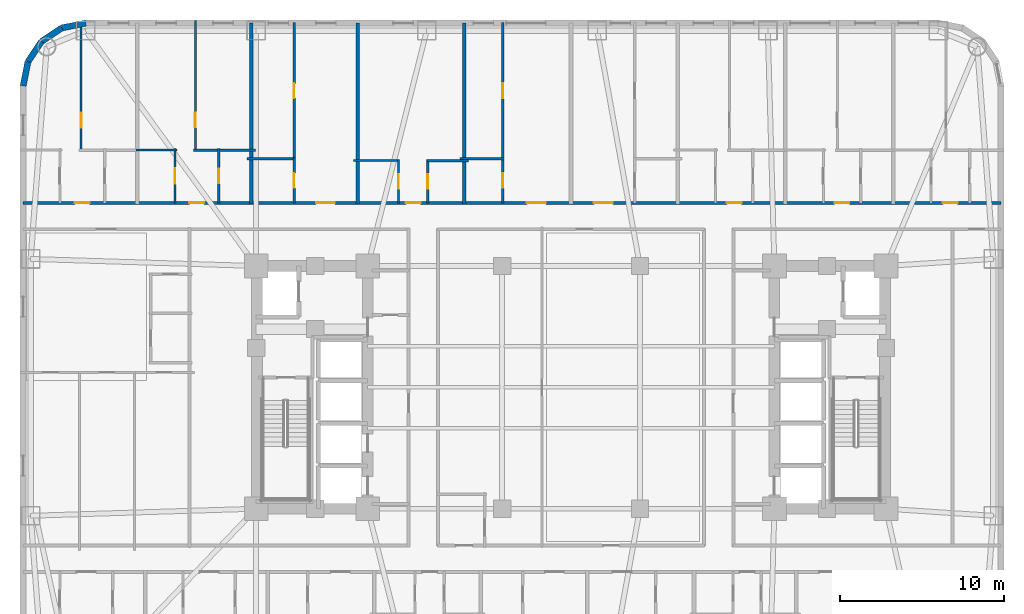
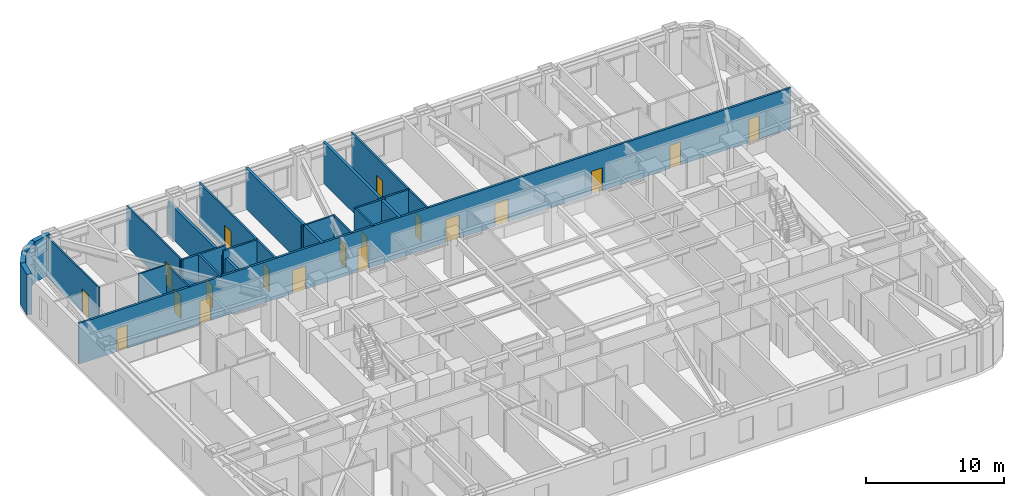
# One storey, part 7 of 11: 24 walls, 19 doors, 19 openings.
"""IFC4 building model written with IfcOpenShell, lengths in metres."""

import ifcopenshell
import ifcopenshell.guid

model = None  # the IFC model being written
_history = None  # IfcOwnerHistory: only IFC2X3 demands one
_inside = {}  # id of a spatial element -> (the spatial element, [elements in it])
_under = {}  # id of a project, library or spatial element -> (it, [spatial elements below it])
_declared = {}  # id of a project -> (the project, [libraries it declares])
_typed = {}  # id of a type object -> (the type object, [elements of that type])
_made_of = {}  # id of a material, layer set ... -> (it, [elements and type objects made of it])


def new_model(schema):
    """Start an empty IFC model of exactly this schema.

    Asked for "IFC4X3", IfcOpenShell would pick the latest addendum, in which some entities
    have other attributes; the version numbers below select the first issue.
    IFC2X3 requires an IfcOwnerHistory on every rooted entity: one is made here for all.
    """
    global model, _history
    if schema == "IFC4X3":
        model = ifcopenshell.file(schema_version=(4, 3, 0, 0))
    else:
        model = ifcopenshell.file(schema=schema)
    _inside.clear()
    _under.clear()
    _declared.clear()
    _typed.clear()
    _made_of.clear()
    _history = None
    if model.schema == "IFC2X3":
        org = make("IfcOrganization", Name="unknown")
        user = make(
            "IfcPersonAndOrganization",
            ThePerson=make("IfcPerson", FamilyName="unknown"),
            TheOrganization=org,
        )
        app = make(
            "IfcApplication",
            ApplicationDeveloper=org,
            Version="unknown",
            ApplicationFullName="unknown",
            ApplicationIdentifier="unknown",
        )
        _history = make(
            "IfcOwnerHistory",
            OwningUser=user,
            OwningApplication=app,
            ChangeAction="ADDED",
            CreationDate=0,
        )
    return model


def make(cls, **values):
    """One entity of the class cls with the attributes given. An attribute that is None is left unset."""
    return model.create_entity(
        cls, **{name: value for name, value in values.items() if value is not None}
    )


def rooted(cls, **values):
    """An entity with a GlobalId (a new one), such as an element, a storey or a relation."""
    return make(cls, GlobalId=ifcopenshell.guid.new(), OwnerHistory=_history, **values)


def si_unit(unit_type, name, prefix=None):
    """IfcSIUnit, for example si_unit("LENGTHUNIT", "METRE", prefix="MILLI")."""
    return make("IfcSIUnit", UnitType=unit_type, Prefix=prefix, Name=name)


def assignment(units):
    """IfcUnitAssignment: the units of a project."""
    return None if units is None else make("IfcUnitAssignment", Units=units)


def point(xyz):
    """IfcCartesianPoint."""
    return None if xyz is None else make("IfcCartesianPoint", Coordinates=xyz)


def direction(xyz):
    """IfcDirection."""
    return None if xyz is None else make("IfcDirection", DirectionRatios=xyz)


def frame(location, z_axis=None, x_axis=None):
    """IfcAxis2Placement3D, a coordinate frame: its origin and axes. An axis left out is left unset."""
    return make(
        "IfcAxis2Placement3D",
        Location=point(location),
        Axis=direction(z_axis),
        RefDirection=direction(x_axis),
    )


def frame_2d(location, x_axis=None):
    """IfcAxis2Placement2D, a coordinate frame in the plane: its origin and x axis."""
    return make(
        "IfcAxis2Placement2D", Location=point(location), RefDirection=direction(x_axis)
    )


def origin():
    """The frame at (0, 0, 0) with its axes left unset."""
    return frame((0.0, 0.0, 0.0))


def place(relative_to, where):
    """IfcLocalPlacement: puts the frame where relative to a parent placement (None: the world)."""
    return make(
        "IfcLocalPlacement", PlacementRelTo=relative_to, RelativePlacement=where
    )


def context(
    kind, dimensions, precision=None, world=None, true_north=None, identifier=None
):
    """IfcGeometricRepresentationContext, for example the 3D "Model" context."""
    return make(
        "IfcGeometricRepresentationContext",
        ContextIdentifier=identifier,
        ContextType=kind,
        CoordinateSpaceDimension=dimensions,
        Precision=precision,
        WorldCoordinateSystem=world,
        TrueNorth=true_north,
    )


def subcontext(parent, identifier, kind, view, scale=None):
    """IfcGeometricRepresentationSubContext, for example "Body" below "Model"."""
    return make(
        "IfcGeometricRepresentationSubContext",
        ContextIdentifier=identifier,
        ContextType=kind,
        ParentContext=parent,
        TargetScale=scale,
        TargetView=view,
    )


def project(units=None, contexts=None):
    """IfcProject with its units and contexts."""
    return rooted(
        "IfcProject",
        Name="project",
        RepresentationContexts=contexts,
        UnitsInContext=assignment(units),
    )


def spatial(cls, under=None, at=None, **own):
    """A site, building, storey or space (cls), placed at a placement, below another one or the project."""
    s = rooted(cls, ObjectPlacement=at, **own)
    if under is not None:
        _under.setdefault(under.id(), (under, []))[1].append(s)
    return s


def profile(cls, at=None, kind="AREA", **sizes):
    """A parametric profile (cls). Its sizes go by their IFC names, for example OverallWidth=200.0."""
    return make(cls, ProfileType=kind, Position=at, **sizes)


def rectangle(**sizes):
    """IfcRectangleProfileDef."""
    return profile("IfcRectangleProfileDef", **sizes)


def extrude(swept, where, along, depth):
    """IfcExtrudedAreaSolid: the profile swept, set in the frame where, extruded along a direction by depth."""
    return make(
        "IfcExtrudedAreaSolid",
        SweptArea=swept,
        Position=where,
        ExtrudedDirection=direction(along),
        Depth=depth,
    )


def shape(context_of_items, identifier, shape_type, items):
    """IfcShapeRepresentation: the items that make up one representation, for example the "Body"."""
    return make(
        "IfcShapeRepresentation",
        ContextOfItems=context_of_items,
        RepresentationIdentifier=identifier,
        RepresentationType=shape_type,
        Items=items,
    )


def material(Name=None, Category=None):
    """IfcMaterial."""
    return make("IfcMaterial", Name=Name, Category=Category)


def layer(
    of_material, thickness, ventilated=None, Name=None, Category=None, Priority=None
):
    """IfcMaterialLayer: one layer of a wall or slab, of a material (None: an air gap)."""
    return make(
        "IfcMaterialLayer",
        Material=of_material,
        LayerThickness=thickness,
        IsVentilated=ventilated,
        Name=Name,
        Category=Category,
        Priority=Priority,
    )


def layer_set(layers, Name=None):
    """IfcMaterialLayerSet."""
    return make("IfcMaterialLayerSet", MaterialLayers=layers, LayerSetName=Name)


def made_of(thing, what):
    """Note that an element or type object is made of a material, layer set ...; save() writes the relation."""
    if what is not None:
        _made_of.setdefault(what.id(), (what, []))[1].append(thing)
    return thing


def type_object(cls, material=None, **own):
    """A type object (cls), such as IfcWallType, which elements share."""
    return made_of(rooted(cls, **own), material)


def element(
    cls,
    number,
    at=None,
    inside=None,
    cuts=None,
    type_object=None,
    material=None,
    context=None,
    identifier="Body",
    shape_type=None,
    held_by="IfcProductDefinitionShape",
    body=None,
    shapes=None,
    **own,
):
    """One element of the class cls, such as IfcWall. Its Tag is "e" and its number.

    at: its placement. inside: the storey or other place that contains it. cuts: it is an
    opening in that element (IfcRelVoidsElement). A single representation is given by context,
    identifier, shape_type and body (its items); several are given by shapes. held_by: the class
    of the entity that holds the representations. save() writes the other relations.
    """
    e = rooted(cls, Tag="e%d" % number, ObjectPlacement=at, **own)
    if body is not None:
        shapes = [shape(context, identifier, shape_type, body)]
    if shapes is not None:
        e.Representation = make(held_by, Representations=shapes)
    if inside is not None:
        _inside.setdefault(inside.id(), (inside, []))[1].append(e)
    if cuts is not None:
        rooted(
            "IfcRelVoidsElement", RelatingBuildingElement=cuts, RelatedOpeningElement=e
        )
    if type_object is not None:
        _typed.setdefault(type_object.id(), (type_object, []))[1].append(e)
    return made_of(e, material)


def fill(opening, filler):
    """IfcRelFillsElement: the door or window that sits in an opening."""
    return rooted(
        "IfcRelFillsElement",
        RelatingOpeningElement=opening,
        RelatedBuildingElement=filler,
    )


def aggregate(whole, parts):
    """IfcRelAggregates: a whole, such as a stair, and the parts it consists of."""
    return rooted("IfcRelAggregates", RelatingObject=whole, RelatedObjects=parts)


def save(model, path):
    """Write the relations noted so far, then the file.

    IfcRelAggregates (storeys below a building ...), IfcRelContainedInSpatialStructure (elements
    in a storey), IfcRelDefinesByType, IfcRelAssociatesMaterial and IfcRelDeclares: one each for
    every whole, place, type object, material and project.
    """
    for whole, parts in _under.values():
        aggregate(whole, parts)
    for where, things in _inside.values():
        rooted(
            "IfcRelContainedInSpatialStructure",
            RelatedElements=things,
            RelatingStructure=where,
        )
    for kind, things in _typed.values():
        rooted("IfcRelDefinesByType", RelatedObjects=things, RelatingType=kind)
    for what, things in _made_of.values():
        rooted("IfcRelAssociatesMaterial", RelatedObjects=things, RelatingMaterial=what)
    for by, libraries in _declared.values():
        rooted("IfcRelDeclares", RelatingContext=by, RelatedDefinitions=libraries)
    model.write(path)


model = new_model("IFC4")

# Units and contexts
model_context = context("Model", 3, precision=1e-05, world=origin(), true_north=direction((0.0, 1.0)))
body_context = subcontext(model_context, "Body", "Model", "MODEL_VIEW")
ifc_project = project(units=[si_unit("LENGTHUNIT", "METRE"), si_unit("AREAUNIT", "SQUARE_METRE"), si_unit("VOLUMEUNIT", "CUBIC_METRE"), si_unit("PLANEANGLEUNIT", "RADIAN"), si_unit("MASSUNIT", "GRAM", prefix="KILO")], contexts=[model_context])

# Site, building, storey
site_placement = place(None, origin())
site = spatial("IfcSite", under=ifc_project, at=site_placement, CompositionType="ELEMENT")
building_placement = place(site_placement, origin())
building = spatial("IfcBuilding", under=site, at=building_placement, Name="Voryun Gate Residences", CompositionType="ELEMENT")
storey_placement = place(building_placement, frame((0.0, 0.0, 76.699951171875)))
storey = spatial("IfcBuildingStorey", under=building, at=storey_placement, Name="L18", CompositionType="ELEMENT", Elevation=76.699951171875)

# Wall, openings, doors
ifc_material_1 = material(Name="Gypsum acoustic fireboard")
ifc_layer_1 = layer(ifc_material_1, 0.179931640625, Name="W_CORR_RATED_180")
ifc_layer_set_1 = layer_set([ifc_layer_1], Name="Gypsum acoustic fireboard")
wall_type_1 = type_object("IfcWallType", Name="W_CORR_RATED_180", PredefinedType="PARTITIONING", material=ifc_layer_set_1)
wall_1_placement = place(storey_placement, frame((-33.409912109375, 11.25, 0.0), z_axis=(0.0, 0.0, 1.0), x_axis=(1.0, 0.0, 0.0)))
wall_1 = element("IfcWall", 1, at=wall_1_placement, inside=storey, type_object=wall_type_1, Name="Partition wall WP-L18-NCORR", PredefinedType="PARTITIONING", context=body_context, shape_type="SweptSolid", body=[
    extrude(rectangle(XDim=59.619873046875, YDim=0.179931640625, at=frame_2d((29.81005859375, 0.0))), origin(), (0.0, 0.0, 1.0), 3.60009765625),
])
opening_1_placement = place(wall_1_placement, frame((3.156982421875, 0.0, 0.0)))
opening_1 = element("IfcOpeningElement", 2, at=opening_1_placement, cuts=wall_1, Name="Opening D-INT-2", PredefinedType="OPENING", context=body_context, shape_type="SweptSolid", body=[
    extrude(rectangle(XDim=0.89990234375, YDim=2.050048828125, at=frame_2d((0.449951171875, 1.02490234375))), frame((0.0, 0.099853515625, 0.0), z_axis=(0.0, -1.0, 0.0), x_axis=(1.0, 0.0, 0.0)), (0.0, 0.0, 1.0), 0.199951171875),
])
opening_2_placement = place(wall_1_placement, frame((10.14453125, 0.0, 0.0)))
opening_2 = element("IfcOpeningElement", 3, at=opening_2_placement, cuts=wall_1, Name="Opening D-INT-2", PredefinedType="OPENING", context=body_context, shape_type="SweptSolid", body=[
    extrude(rectangle(XDim=0.89990234375, YDim=2.050048828125, at=frame_2d((0.449951171875, 1.02490234375))), frame((0.0, 0.099853515625, 0.0), z_axis=(0.0, -1.0, 0.0), x_axis=(1.0, 0.0, 0.0)), (0.0, 0.0, 1.0), 0.199951171875),
])
opening_3_placement = place(wall_1_placement, frame((17.859619140625, 0.0, 0.0)))
opening_3 = element("IfcOpeningElement", 4, at=opening_3_placement, cuts=wall_1, Name="Opening D-UNIT-1", PredefinedType="OPENING", context=body_context, shape_type="SweptSolid", body=[
    extrude(rectangle(XDim=1.14990234375, YDim=2.050048828125, at=frame_2d((0.574951171875, 1.02490234375))), frame((0.0, 0.099853515625, 0.0), z_axis=(0.0, -1.0, 0.0), x_axis=(1.0, 0.0, 0.0)), (0.0, 0.0, 1.0), 0.199951171875),
])
opening_4_placement = place(wall_1_placement, frame((23.33837890625, 0.0, 0.0)))
opening_4 = element("IfcOpeningElement", 5, at=opening_4_placement, cuts=wall_1, Name="Opening D-INT-2", PredefinedType="OPENING", context=body_context, shape_type="SweptSolid", body=[
    extrude(rectangle(XDim=0.89990234375, YDim=2.050048828125, at=frame_2d((0.449951171875, 1.02490234375))), frame((0.0, 0.099853515625, 0.0), z_axis=(0.0, -1.0, 0.0), x_axis=(1.0, 0.0, 0.0)), (0.0, 0.0, 1.0), 0.199951171875),
])
opening_5_placement = place(wall_1_placement, frame((30.719482421875, 0.0, 0.0)))
opening_5 = element("IfcOpeningElement", 6, at=opening_5_placement, cuts=wall_1, Name="Opening D-UNIT-1", PredefinedType="OPENING", context=body_context, shape_type="SweptSolid", body=[
    extrude(rectangle(XDim=1.14990234375, YDim=2.050048828125, at=frame_2d((0.574951171875, 1.02490234375))), frame((0.0, 0.099853515625, 0.0), z_axis=(0.0, -1.0, 0.0), x_axis=(1.0, 0.0, 0.0)), (0.0, 0.0, 1.0), 0.199951171875),
])
opening_6_placement = place(wall_1_placement, frame((34.8095703125, 0.0, 0.0)))
opening_6 = element("IfcOpeningElement", 7, at=opening_6_placement, cuts=wall_1, Name="Opening D-UNIT-1", PredefinedType="OPENING", context=body_context, shape_type="SweptSolid", body=[
    extrude(rectangle(XDim=1.14990234375, YDim=2.050048828125, at=frame_2d((0.574951171875, 1.02490234375))), frame((0.0, 0.099853515625, 0.0), z_axis=(0.0, -1.0, 0.0), x_axis=(1.0, 0.0, 0.0)), (0.0, 0.0, 1.0), 0.199951171875),
])
opening_7_placement = place(wall_1_placement, frame((42.91162109375, 0.0, 0.0)))
opening_7 = element("IfcOpeningElement", 8, at=opening_7_placement, cuts=wall_1, Name="Opening D-INT-2", PredefinedType="OPENING", context=body_context, shape_type="SweptSolid", body=[
    extrude(rectangle(XDim=0.89990234375, YDim=2.050048828125, at=frame_2d((0.449951171875, 1.02490234375))), frame((0.0, 0.099853515625, 0.0), z_axis=(0.0, -1.0, 0.0), x_axis=(1.0, 0.0, 0.0)), (0.0, 0.0, 1.0), 0.199951171875),
])
opening_8_placement = place(wall_1_placement, frame((49.481689453125, 0.0, 0.0)))
opening_8 = element("IfcOpeningElement", 9, at=opening_8_placement, cuts=wall_1, Name="Opening D-INT-2", PredefinedType="OPENING", context=body_context, shape_type="SweptSolid", body=[
    extrude(rectangle(XDim=0.89990234375, YDim=2.050048828125, at=frame_2d((0.449951171875, 1.02490234375))), frame((0.0, 0.099853515625, 0.0), z_axis=(0.0, -1.0, 0.0), x_axis=(1.0, 0.0, 0.0)), (0.0, 0.0, 1.0), 0.199951171875),
])
opening_9_placement = place(wall_1_placement, frame((56.087646484375, 0.0, 0.0)))
opening_9 = element("IfcOpeningElement", 10, at=opening_9_placement, cuts=wall_1, Name="Opening D-INT-2", PredefinedType="OPENING", context=body_context, shape_type="SweptSolid", body=[
    extrude(rectangle(XDim=0.89990234375, YDim=2.050048828125, at=frame_2d((0.449951171875, 1.02490234375))), frame((0.0, 0.099853515625, 0.0), z_axis=(0.0, -1.0, 0.0), x_axis=(1.0, 0.0, 0.0)), (0.0, 0.0, 1.0), 0.199951171875),
])
ifc_material_2 = material(Name="Architectural oak veneer")
door_type_1 = type_object("IfcDoorType", Name="DR_INT_BATH_900", OperationType="NOTDEFINED", PredefinedType="DOOR", material=ifc_material_2)
door_1_placement = place(opening_1_placement, origin())
door_1 = element("IfcDoor", 11, at=door_1_placement, inside=storey, type_object=door_type_1, Name="Door DR-L18-NENT-1", OperationType="SINGLE_SWING_LEFT", OverallHeight=2.050048828125, OverallWidth=0.89990234375, PredefinedType="DOOR", context=body_context, shape_type="SweptSolid", body=[
    extrude(rectangle(XDim=0.89990234375, YDim=2.050048828125, at=frame_2d((0.449951171875, 1.02490234375))), frame((0.0, 0.02490234375, 0.0), z_axis=(0.0, -1.0, 0.0), x_axis=(1.0, 0.0, 0.0)), (0.0, 0.0, 1.0), 0.050048828125),
])
fill(opening_1, door_1)
door_2_placement = place(opening_2_placement, origin())
door_2 = element("IfcDoor", 12, at=door_2_placement, inside=storey, type_object=door_type_1, Name="Door DR-L18-NENT-2", OperationType="SINGLE_SWING_RIGHT", OverallHeight=2.050048828125, OverallWidth=0.89990234375, PredefinedType="DOOR", context=body_context, shape_type="SweptSolid", body=[
    extrude(rectangle(XDim=0.89990234375, YDim=2.050048828125, at=frame_2d((0.449951171875, 1.02490234375))), frame((0.0, 0.02490234375, 0.0), z_axis=(0.0, -1.0, 0.0), x_axis=(1.0, 0.0, 0.0)), (0.0, 0.0, 1.0), 0.050048828125),
])
fill(opening_2, door_2)
door_3_placement = place(opening_4_placement, origin())
door_3 = element("IfcDoor", 13, at=door_3_placement, inside=storey, type_object=door_type_1, Name="Door DR-L18-NENT-4", OperationType="SINGLE_SWING_RIGHT", OverallHeight=2.050048828125, OverallWidth=0.89990234375, PredefinedType="DOOR", context=body_context, shape_type="SweptSolid", body=[
    extrude(rectangle(XDim=0.89990234375, YDim=2.050048828125, at=frame_2d((0.449951171875, 1.02490234375))), frame((0.0, 0.02490234375, 0.0), z_axis=(0.0, -1.0, 0.0), x_axis=(1.0, 0.0, 0.0)), (0.0, 0.0, 1.0), 0.050048828125),
])
fill(opening_4, door_3)
door_4_placement = place(opening_7_placement, origin())
door_4 = element("IfcDoor", 14, at=door_4_placement, inside=storey, type_object=door_type_1, Name="Door DR-L18-NENT-7", OperationType="SINGLE_SWING_LEFT", OverallHeight=2.050048828125, OverallWidth=0.89990234375, PredefinedType="DOOR", context=body_context, shape_type="SweptSolid", body=[
    extrude(rectangle(XDim=0.89990234375, YDim=2.050048828125, at=frame_2d((0.449951171875, 1.02490234375))), frame((0.0, 0.02490234375, 0.0), z_axis=(0.0, -1.0, 0.0), x_axis=(1.0, 0.0, 0.0)), (0.0, 0.0, 1.0), 0.050048828125),
])
fill(opening_7, door_4)
door_5_placement = place(opening_8_placement, origin())
door_5 = element("IfcDoor", 15, at=door_5_placement, inside=storey, type_object=door_type_1, Name="Door DR-L18-NENT-8", OperationType="SINGLE_SWING_RIGHT", OverallHeight=2.050048828125, OverallWidth=0.89990234375, PredefinedType="DOOR", context=body_context, shape_type="SweptSolid", body=[
    extrude(rectangle(XDim=0.89990234375, YDim=2.050048828125, at=frame_2d((0.449951171875, 1.02490234375))), frame((0.0, 0.02490234375, 0.0), z_axis=(0.0, -1.0, 0.0), x_axis=(1.0, 0.0, 0.0)), (0.0, 0.0, 1.0), 0.050048828125),
])
fill(opening_8, door_5)
door_6_placement = place(opening_9_placement, origin())
door_6 = element("IfcDoor", 16, at=door_6_placement, inside=storey, type_object=door_type_1, Name="Door DR-L18-NENT-9", OperationType="SINGLE_SWING_LEFT", OverallHeight=2.050048828125, OverallWidth=0.89990234375, PredefinedType="DOOR", context=body_context, shape_type="SweptSolid", body=[
    extrude(rectangle(XDim=0.89990234375, YDim=2.050048828125, at=frame_2d((0.449951171875, 1.02490234375))), frame((0.0, 0.02490234375, 0.0), z_axis=(0.0, -1.0, 0.0), x_axis=(1.0, 0.0, 0.0)), (0.0, 0.0, 1.0), 0.050048828125),
])
fill(opening_9, door_6)
ifc_material_3 = material(Name="Armoured timber-clad fire door", Category="wood")
door_type_2 = type_object("IfcDoorType", Name="DR_UNIT_ENTRY_1150", OperationType="NOTDEFINED", PredefinedType="DOOR", material=ifc_material_3)
door_7_placement = place(opening_3_placement, origin())
door_7 = element("IfcDoor", 17, at=door_7_placement, inside=storey, type_object=door_type_2, Name="Door DR-L18-NENT-3", OperationType="SINGLE_SWING_LEFT", OverallHeight=2.050048828125, OverallWidth=1.14990234375, PredefinedType="DOOR", context=body_context, shape_type="SweptSolid", body=[
    extrude(rectangle(XDim=1.14990234375, YDim=2.050048828125, at=frame_2d((0.574951171875, 1.02490234375))), frame((0.0, 0.02490234375, 0.0), z_axis=(0.0, -1.0, 0.0), x_axis=(1.0, 0.0, 0.0)), (0.0, 0.0, 1.0), 0.050048828125),
])
fill(opening_3, door_7)
door_8_placement = place(opening_5_placement, origin())
door_8 = element("IfcDoor", 18, at=door_8_placement, inside=storey, type_object=door_type_2, Name="Door DR-L18-NENT-5", OperationType="SINGLE_SWING_LEFT", OverallHeight=2.050048828125, OverallWidth=1.14990234375, PredefinedType="DOOR", context=body_context, shape_type="SweptSolid", body=[
    extrude(rectangle(XDim=1.14990234375, YDim=2.050048828125, at=frame_2d((0.574951171875, 1.02490234375))), frame((0.0, 0.02490234375, 0.0), z_axis=(0.0, -1.0, 0.0), x_axis=(1.0, 0.0, 0.0)), (0.0, 0.0, 1.0), 0.050048828125),
])
fill(opening_5, door_8)
door_9_placement = place(opening_6_placement, origin())
door_9 = element("IfcDoor", 19, at=door_9_placement, inside=storey, type_object=door_type_2, Name="Door DR-L18-NENT-6", OperationType="SINGLE_SWING_RIGHT", OverallHeight=2.050048828125, OverallWidth=1.14990234375, PredefinedType="DOOR", context=body_context, shape_type="SweptSolid", body=[
    extrude(rectangle(XDim=1.14990234375, YDim=2.050048828125, at=frame_2d((0.574951171875, 1.02490234375))), frame((0.0, 0.02490234375, 0.0), z_axis=(0.0, -1.0, 0.0), x_axis=(1.0, 0.0, 0.0)), (0.0, 0.0, 1.0), 0.050048828125),
])
fill(opening_6, door_9)

# Walls
ifc_material_4 = material(Name="Granite masonry", Category="masonry")
ifc_layer_2 = layer(ifc_material_4, 0.3798828125, Name="W_EXT_GRANITE_380")
ifc_layer_set_2 = layer_set([ifc_layer_2], Name="Granite masonry")
wall_type_2 = type_object("IfcWallType", Name="W_EXT_GRANITE_380", PredefinedType="ELEMENTEDWALL", material=ifc_layer_set_2)
wall_2_placement = place(storey_placement, frame((-33.409912109375, 18.38134765625, 0.0), z_axis=(0.0, 0.0, 1.0), x_axis=(0.195086038585, 0.980786132421, 0.0)))
element("IfcWall", 20, at=wall_2_placement, inside=storey, type_object=wall_type_2, Name="Exterior wall WEXT-L18-07", PredefinedType="ELEMENTEDWALL", context=body_context, shape_type="SweptSolid", body=[
    extrude(rectangle(XDim=1.504150390625, YDim=0.3798828125, at=frame_2d((0.751953125, 0.0))), origin(), (0.0, 0.0, 1.0), 3.60009765625),
])
wall_3_placement = place(storey_placement, frame((-33.116455078125, 19.856689453125, 0.0), z_axis=(0.0, 0.0, 1.0), x_axis=(0.555572577804, 0.831468045563, 0.0)))
element("IfcWall", 21, at=wall_3_placement, inside=storey, type_object=wall_type_2, Name="Exterior wall WEXT-L18-08", PredefinedType="ELEMENTEDWALL", context=body_context, shape_type="SweptSolid", body=[
    extrude(rectangle(XDim=1.48486328125, YDim=0.3798828125, at=frame_2d((0.742431640625, 0.0))), origin(), (0.0, 0.0, 1.0), 3.60009765625),
])
wall_4_placement = place(storey_placement, frame((-32.29150390625, 21.09130859375, 0.0), z_axis=(0.0, 0.0, 1.0), x_axis=(0.831442848281, 0.555610286119, 0.0)))
element("IfcWall", 22, at=wall_4_placement, inside=storey, type_object=wall_type_2, Name="Exterior wall WEXT-L18-09", PredefinedType="ELEMENTEDWALL", context=body_context, shape_type="SweptSolid", body=[
    extrude(rectangle(XDim=1.485107421875, YDim=0.3798828125, at=frame_2d((0.74267578125, 0.0))), origin(), (0.0, 0.0, 1.0), 3.60009765625),
])
wall_5_placement = place(storey_placement, frame((-31.056640625, 21.91650390625, 0.0), z_axis=(0.0, 0.0, 1.0), x_axis=(0.980786132421, 0.195086038585, 0.0)))
element("IfcWall", 23, at=wall_5_placement, inside=storey, type_object=wall_type_2, Name="Exterior wall WEXT-L18-10", PredefinedType="ELEMENTEDWALL", context=body_context, shape_type="SweptSolid", body=[
    extrude(rectangle(XDim=1.504150390625, YDim=0.3798828125, at=frame_2d((0.751953125, 0.0))), origin(), (0.0, 0.0, 1.0), 3.60009765625),
])
ifc_material_5 = material(Name="Concrete C40/50", Category="concrete")
ifc_layer_3 = layer(ifc_material_5, 0.219970703125, Name="W_PARTY_ACOUSTIC_220")
ifc_layer_set_3 = layer_set([ifc_layer_3], Name="Concrete C40/50")
wall_type_3 = type_object("IfcWallType", Name="W_PARTY_ACOUSTIC_220", PredefinedType="PARTITIONING", material=ifc_layer_set_3)
wall_6_placement = place(storey_placement, frame((-19.5, 11.169921875, 0.0), z_axis=(0.0, 0.0, 1.0), x_axis=(0.0, 1.0, 0.0)))
element("IfcWall", 24, at=wall_6_placement, inside=storey, type_object=wall_type_3, Name="Partition wall WP-L18-NPTY-2", PredefinedType="PARTITIONING", context=body_context, shape_type="SweptSolid", body=[
    extrude(rectangle(XDim=11.0400390625, YDim=0.219970703125, at=frame_2d((5.52001953125, 0.0))), origin(), (0.0, 0.0, 1.0), 2.89013671875),
])
for number, where, z_axis, x_axis, name in (
    (25, (-13.0, 11.169921875, 0.0), (0.0, 0.0, 1.0), (0.0, 1.0, 0.0), "Partition wall WP-L18-NPTY-3"),
    (26, (-6.5, 11.169921875, 0.0), (0.0, 0.0, 1.0), (0.0, 1.0, 0.0), "Partition wall WP-L18-NPTY-4"),
):
    element("IfcWall", number, at=place(storey_placement, frame(where, z_axis=z_axis, x_axis=x_axis)), inside=storey, type_object=wall_type_3, Name=name, PredefinedType="PARTITIONING", context=body_context, shape_type="SweptSolid", body=[
        extrude(rectangle(XDim=11.0400390625, YDim=0.219970703125, at=frame_2d((5.52001953125, 0.0))), origin(), (0.0, 0.0, 1.0), 3.60009765625),
    ])

# Wall, opening, door
ifc_material_6 = material(Name="Gypsum acoustic partition")
ifc_layer_4 = layer(ifc_material_6, 0.125, Name="W_UNIT_PART_125")
ifc_layer_set_4 = layer_set([ifc_layer_4], Name="Gypsum acoustic partition")
wall_type_4 = type_object("IfcWallType", Name="W_UNIT_PART_125", PredefinedType="PARTITIONING", material=ifc_layer_set_4)
wall_7_placement = place(storey_placement, frame((-29.868896484375, 14.389892578125, 0.0), z_axis=(0.0, 0.0, 1.0), x_axis=(0.0, 1.0, 0.0)))
wall_7 = element("IfcWall", 27, at=wall_7_placement, inside=storey, type_object=wall_type_4, Name="Partition wall WP-L18-N1-OVR", PredefinedType="PARTITIONING", context=body_context, shape_type="SweptSolid", body=[
    extrude(rectangle(XDim=7.915771484375, YDim=0.125, at=frame_2d((3.9580078125, 0.0))), origin(), (0.0, 0.0, 1.0), 3.60009765625),
])
opening_10_placement = place(wall_7_placement, frame((1.44970703125, 0.0, 0.0)))
opening_10 = element("IfcOpeningElement", 28, at=opening_10_placement, cuts=wall_7, Name="Opening D-INT-2", PredefinedType="OPENING", context=body_context, shape_type="SweptSolid", body=[
    extrude(rectangle(XDim=0.89990234375, YDim=2.050048828125, at=frame_2d((0.449951171875, 1.02490234375))), frame((0.0, 0.072509765625, 0.0), z_axis=(0.0, -1.0, 0.0), x_axis=(1.0, 0.0, 0.0)), (0.0, 0.0, 1.0), 0.14501953125),
])
door_10_placement = place(opening_10_placement, origin())
door_10 = element("IfcDoor", 29, at=door_10_placement, inside=storey, type_object=door_type_1, Name="Door DR-L18-N1-DMB", OperationType="SINGLE_SWING_RIGHT", OverallHeight=2.050048828125, OverallWidth=0.89990234375, PredefinedType="DOOR", context=body_context, shape_type="SweptSolid", body=[
    extrude(rectangle(XDim=0.89990234375, YDim=2.050048828125, at=frame_2d((0.449951171875, 1.02490234375))), frame((0.0, 0.02490234375, 0.0), z_axis=(0.0, -1.0, 0.0), x_axis=(1.0, 0.0, 0.0)), (0.0, 0.0, 1.0), 0.050048828125),
])
fill(opening_10, door_10)

wall_8_placement = place(storey_placement, frame((-22.909912109375, 14.389892578125, 0.0), z_axis=(0.0, 0.0, 1.0), x_axis=(0.0, 1.0, 0.0)))
wall_8 = element("IfcWall", 30, at=wall_8_placement, inside=storey, type_object=wall_type_4, Name="Partition wall WP-L18-N2-OVR", PredefinedType="PARTITIONING", context=body_context, shape_type="SweptSolid", body=[
    extrude(rectangle(XDim=7.97021484375, YDim=0.125, at=frame_2d((3.985107421875, 0.0))), origin(), (0.0, 0.0, 1.0), 3.60009765625),
])
opening_11_placement = place(wall_8_placement, frame((1.462890625, 0.0, 0.0)))
opening_11 = element("IfcOpeningElement", 31, at=opening_11_placement, cuts=wall_8, Name="Opening D-INT-2", PredefinedType="OPENING", context=body_context, shape_type="SweptSolid", body=[
    extrude(rectangle(XDim=0.89990234375, YDim=2.050048828125, at=frame_2d((0.449951171875, 1.02490234375))), frame((0.0, 0.072509765625, 0.0), z_axis=(0.0, -1.0, 0.0), x_axis=(1.0, 0.0, 0.0)), (0.0, 0.0, 1.0), 0.14501953125),
])
door_11_placement = place(opening_11_placement, origin())
door_11 = element("IfcDoor", 32, at=door_11_placement, inside=storey, type_object=door_type_1, Name="Door DR-L18-N2-DMB", OperationType="SINGLE_SWING_RIGHT", OverallHeight=2.050048828125, OverallWidth=0.89990234375, PredefinedType="DOOR", context=body_context, shape_type="SweptSolid", body=[
    extrude(rectangle(XDim=0.89990234375, YDim=2.050048828125, at=frame_2d((0.449951171875, 1.02490234375))), frame((0.0, 0.02490234375, 0.0), z_axis=(0.0, -1.0, 0.0), x_axis=(1.0, 0.0, 0.0)), (0.0, 0.0, 1.0), 0.050048828125),
])
fill(opening_11, door_11)

wall_9_placement = place(storey_placement, frame((-24.14892578125, 11.22998046875, 0.0), z_axis=(0.0, 0.0, 1.0), x_axis=(0.0, 1.0, 0.0)))
wall_9 = element("IfcWall", 33, at=wall_9_placement, inside=storey, type_object=wall_type_4, Name="Partition wall WP-L18-N2-IVK", PredefinedType="PARTITIONING", context=body_context, shape_type="SweptSolid", body=[
    extrude(rectangle(XDim=3.320068359375, YDim=0.125, at=frame_2d((1.66015625, 0.0))), origin(), (0.0, 0.0, 1.0), 3.60009765625),
])
opening_12_placement = place(wall_9_placement, frame((1.18505859375, 0.0, 0.0)))
opening_12 = element("IfcOpeningElement", 34, at=opening_12_placement, cuts=wall_9, Name="Opening D-INT-1", PredefinedType="OPENING", context=body_context, shape_type="SweptSolid", body=[
    extrude(rectangle(XDim=0.949951171875, YDim=2.050048828125, at=frame_2d((0.47509765625, 1.02490234375))), frame((0.0, 0.072509765625, 0.0), z_axis=(0.0, -1.0, 0.0), x_axis=(1.0, 0.0, 0.0)), (0.0, 0.0, 1.0), 0.14501953125),
])
ifc_material_7 = material(Name="Architectural oak veneer")
door_type_3 = type_object("IfcDoorType", Name="DR_INT_ROOM_950", OperationType="NOTDEFINED", PredefinedType="DOOR", material=ifc_material_7)
door_12_placement = place(opening_12_placement, origin())
door_12 = element("IfcDoor", 35, at=door_12_placement, inside=storey, type_object=door_type_3, Name="Door DR-L18-N2-DK", OperationType="SINGLE_SWING_LEFT", OverallHeight=2.050048828125, OverallWidth=0.949951171875, PredefinedType="DOOR", context=body_context, shape_type="SweptSolid", body=[
    extrude(rectangle(XDim=0.949951171875, YDim=2.050048828125, at=frame_2d((0.47509765625, 1.02490234375))), frame((0.0, 0.02490234375, 0.0), z_axis=(0.0, -1.0, 0.0), x_axis=(1.0, 0.0, 0.0)), (0.0, 0.0, 1.0), 0.050048828125),
])
fill(opening_12, door_12)

# Wall
wall_10_placement = place(storey_placement, frame((-26.533935546875, 14.469970703125, 0.0), z_axis=(0.0, 0.0, 1.0), x_axis=(1.0, 0.0, 0.0)))
element("IfcWall", 36, at=wall_10_placement, inside=storey, type_object=wall_type_4, Name="Partition wall WP-L18-N2-HZK", PredefinedType="PARTITIONING", context=body_context, shape_type="SweptSolid", body=[
    extrude(rectangle(XDim=2.5048828125, YDim=0.125, at=frame_2d((1.25244140625, 0.0))), origin(), (0.0, 0.0, 1.0), 3.60009765625),
])

# Wall, opening, door
wall_11_placement = place(storey_placement, frame((-10.51611328125, 11.22998046875, 0.0), z_axis=(0.0, 0.0, 1.0), x_axis=(0.0, 1.0, 0.0)))
wall_11 = element("IfcWall", 37, at=wall_11_placement, inside=storey, type_object=wall_type_4, Name="Partition wall WP-L18-N4-CVK", PredefinedType="PARTITIONING", context=body_context, shape_type="SweptSolid", body=[
    extrude(rectangle(XDim=2.64990234375, YDim=0.125, at=frame_2d((1.324951171875, 0.0))), origin(), (0.0, 0.0, 1.0), 3.60009765625),
])
opening_13_placement = place(wall_11_placement, frame((0.875, 0.0, 0.0)))
opening_13 = element("IfcOpeningElement", 38, at=opening_13_placement, cuts=wall_11, Name="Opening D-INT-2", PredefinedType="OPENING", context=body_context, shape_type="SweptSolid", body=[
    extrude(rectangle(XDim=0.89990234375, YDim=2.050048828125, at=frame_2d((0.449951171875, 1.02490234375))), frame((0.0, 0.072509765625, 0.0), z_axis=(0.0, -1.0, 0.0), x_axis=(1.0, 0.0, 0.0)), (0.0, 0.0, 1.0), 0.14501953125),
])
door_13_placement = place(opening_13_placement, origin())
door_13 = element("IfcDoor", 39, at=door_13_placement, inside=storey, type_object=door_type_1, Name="Door DR-L18-N4-DK", OperationType="SINGLE_SWING_LEFT", OverallHeight=2.050048828125, OverallWidth=0.89990234375, PredefinedType="DOOR", context=body_context, shape_type="SweptSolid", body=[
    extrude(rectangle(XDim=0.89990234375, YDim=2.050048828125, at=frame_2d((0.449951171875, 1.02490234375))), frame((0.0, 0.02490234375, 0.0), z_axis=(0.0, -1.0, 0.0), x_axis=(1.0, 0.0, 0.0)), (0.0, 0.0, 1.0), 0.050048828125),
])
fill(opening_13, door_13)

# Walls
wall_12_placement = place(storey_placement, frame((-13.260009765625, 13.820068359375, 0.0), z_axis=(0.0, 0.0, 1.0), x_axis=(1.0, 0.0, 0.0)))
element("IfcWall", 40, at=wall_12_placement, inside=storey, type_object=wall_type_4, Name="Partition wall WP-L18-N4-CHK", PredefinedType="PARTITIONING", context=body_context, shape_type="SweptSolid", body=[
    extrude(rectangle(XDim=2.803955078125, YDim=0.125, at=frame_2d((1.40185546875, 0.0))), origin(), (0.0, 0.0, 1.0), 3.60009765625),
])
ifc_material_8 = material(Name="Gypsum moisture-resistant partition")
ifc_layer_5 = layer(ifc_material_8, 0.14990234375, Name="W_WET_PLUMB_150")
ifc_layer_set_5 = layer_set([ifc_layer_5], Name="Gypsum moisture-resistant partition")
wall_type_5 = type_object("IfcWallType", Name="W_WET_PLUMB_150", PredefinedType="PLUMBINGWALL", material=ifc_layer_set_5)
wall_13_placement = place(storey_placement, frame((-23.030029296875, 14.469970703125, 0.0), z_axis=(0.0, 0.0, 1.0), x_axis=(1.0, 0.0, 0.0)))
element("IfcWall", 41, at=wall_13_placement, inside=storey, type_object=wall_type_5, Name="Partition wall WP-L18-N2-HZB", PredefinedType="PLUMBINGWALL", context=body_context, shape_type="SweptSolid", body=[
    extrude(rectangle(XDim=3.7900390625, YDim=0.14990234375, at=frame_2d((1.89501953125, 0.0))), origin(), (0.0, 0.0, 1.0), 3.60009765625),
])

# Wall, opening, door
wall_14_placement = place(storey_placement, frame((-21.47998046875, 11.22998046875, 0.0), z_axis=(0.0, 0.0, 1.0), x_axis=(0.0, 1.0, 0.0)))
wall_14 = element("IfcWall", 42, at=wall_14_placement, inside=storey, type_object=wall_type_5, Name="Partition wall WP-L18-N2-IVB", PredefinedType="PLUMBINGWALL", context=body_context, shape_type="SweptSolid", body=[
    extrude(rectangle(XDim=3.320068359375, YDim=0.14990234375, at=frame_2d((1.66015625, 0.0))), origin(), (0.0, 0.0, 1.0), 3.60009765625),
])
opening_14_placement = place(wall_14_placement, frame((1.2099609375, 0.0, 0.0)))
opening_14 = element("IfcOpeningElement", 43, at=opening_14_placement, cuts=wall_14, Name="Opening D-INT-2", PredefinedType="OPENING", context=body_context, shape_type="SweptSolid", body=[
    extrude(rectangle(XDim=0.89990234375, YDim=2.050048828125, at=frame_2d((0.449951171875, 1.02490234375))), frame((0.0, 0.0849609375, 0.0), z_axis=(0.0, -1.0, 0.0), x_axis=(1.0, 0.0, 0.0)), (0.0, 0.0, 1.0), 0.169921875),
])
door_14_placement = place(opening_14_placement, origin())
door_14 = element("IfcDoor", 44, at=door_14_placement, inside=storey, type_object=door_type_1, Name="Door DR-L18-N2-DB", OperationType="SINGLE_SWING_RIGHT", OverallHeight=2.050048828125, OverallWidth=0.89990234375, PredefinedType="DOOR", context=body_context, shape_type="SweptSolid", body=[
    extrude(rectangle(XDim=0.89990234375, YDim=2.050048828125, at=frame_2d((0.449951171875, 1.02490234375))), frame((0.0, 0.02490234375, 0.0), z_axis=(0.0, -1.0, 0.0), x_axis=(1.0, 0.0, 0.0)), (0.0, 0.0, 1.0), 0.050048828125),
])
fill(opening_14, door_14)

# Wall
wall_15_placement = place(storey_placement, frame((-19.760009765625, 13.949951171875, 0.0), z_axis=(0.0, 0.0, 1.0), x_axis=(1.0, 0.0, 0.0)))
element("IfcWall", 45, at=wall_15_placement, inside=storey, type_object=wall_type_5, Name="Partition wall WP-L18-N3-SKB", PredefinedType="PLUMBINGWALL", context=body_context, shape_type="SweptSolid", body=[
    extrude(rectangle(XDim=2.949951171875, YDim=0.14990234375, at=frame_2d((1.47509765625, 0.0))), origin(), (0.0, 0.0, 1.0), 3.60009765625),
])

# Wall, opening, door
wall_16_placement = place(storey_placement, frame((-16.889892578125, 11.22998046875, 0.0), z_axis=(0.0, 0.0, 1.0), x_axis=(0.0, 1.0, 0.0)))
wall_16 = element("IfcWall", 46, at=wall_16_placement, inside=storey, type_object=wall_type_5, Name="Partition wall WP-L18-N3-SVT1", PredefinedType="PLUMBINGWALL", context=body_context, shape_type="SweptSolid", body=[
    extrude(rectangle(XDim=2.760009765625, YDim=0.14990234375, at=frame_2d((1.3798828125, 0.0))), origin(), (0.0, 0.0, 1.0), 3.60009765625),
])
opening_15_placement = place(wall_16_placement, frame((0.929931640625, 0.0, 0.0)))
opening_15 = element("IfcOpeningElement", 47, at=opening_15_placement, cuts=wall_16, Name="Opening D-INT-2", PredefinedType="OPENING", context=body_context, shape_type="SweptSolid", body=[
    extrude(rectangle(XDim=0.89990234375, YDim=2.050048828125, at=frame_2d((0.449951171875, 1.02490234375))), frame((0.0, 0.0849609375, 0.0), z_axis=(0.0, -1.0, 0.0), x_axis=(1.0, 0.0, 0.0)), (0.0, 0.0, 1.0), 0.169921875),
])
door_15_placement = place(opening_15_placement, origin())
door_15 = element("IfcDoor", 48, at=door_15_placement, inside=storey, type_object=door_type_1, Name="Door DR-L18-N3-DB", OperationType="SINGLE_SWING_LEFT", OverallHeight=2.050048828125, OverallWidth=0.89990234375, PredefinedType="DOOR", context=body_context, shape_type="SweptSolid", body=[
    extrude(rectangle(XDim=0.89990234375, YDim=2.050048828125, at=frame_2d((0.449951171875, 1.02490234375))), frame((0.0, 0.02490234375, 0.0), z_axis=(0.0, -1.0, 0.0), x_axis=(1.0, 0.0, 0.0)), (0.0, 0.0, 1.0), 0.050048828125),
])
fill(opening_15, door_15)

wall_17_placement = place(storey_placement, frame((-16.889892578125, 13.909912109375, 0.0), z_axis=(0.0, 0.0, 1.0), x_axis=(0.0, 1.0, 0.0)))
wall_17 = element("IfcWall", 49, at=wall_17_placement, inside=storey, type_object=wall_type_5, Name="Partition wall WP-L18-N3-SVT2", PredefinedType="PLUMBINGWALL", context=body_context, shape_type="SweptSolid", body=[
    extrude(rectangle(XDim=8.34765625, YDim=0.14990234375, at=frame_2d((4.173828125, 0.0))), origin(), (0.0, 0.0, 1.0), 3.60009765625),
])
opening_16_placement = place(wall_17_placement, frame((3.723876953125, 0.0, 0.0)))
opening_16 = element("IfcOpeningElement", 50, at=opening_16_placement, cuts=wall_17, Name="Opening D-INT-2", PredefinedType="OPENING", context=body_context, shape_type="SweptSolid", body=[
    extrude(rectangle(XDim=0.89990234375, YDim=2.050048828125, at=frame_2d((0.449951171875, 1.02490234375))), frame((0.0, 0.0849609375, 0.0), z_axis=(0.0, -1.0, 0.0), x_axis=(1.0, 0.0, 0.0)), (0.0, 0.0, 1.0), 0.169921875),
])
door_16_placement = place(opening_16_placement, origin())
door_16 = element("IfcDoor", 51, at=door_16_placement, inside=storey, type_object=door_type_1, Name="Door DR-L18-N3-DK", OperationType="SINGLE_SWING_RIGHT", OverallHeight=2.050048828125, OverallWidth=0.89990234375, PredefinedType="DOOR", context=body_context, shape_type="SweptSolid", body=[
    extrude(rectangle(XDim=0.89990234375, YDim=2.050048828125, at=frame_2d((0.449951171875, 1.02490234375))), frame((0.0, 0.02490234375, 0.0), z_axis=(0.0, -1.0, 0.0), x_axis=(1.0, 0.0, 0.0)), (0.0, 0.0, 1.0), 0.050048828125),
])
fill(opening_16, door_16)

wall_18_placement = place(storey_placement, frame((-8.72900390625, 11.22998046875, 0.0), z_axis=(0.0, 0.0, 1.0), x_axis=(0.0, 1.0, 0.0)))
wall_18 = element("IfcWall", 52, at=wall_18_placement, inside=storey, type_object=wall_type_5, Name="Partition wall WP-L18-N4-CVB", PredefinedType="PLUMBINGWALL", context=body_context, shape_type="SweptSolid", body=[
    extrude(rectangle(XDim=2.64990234375, YDim=0.14990234375, at=frame_2d((1.324951171875, 0.0))), origin(), (0.0, 0.0, 1.0), 3.60009765625),
])
opening_17_placement = place(wall_18_placement, frame((0.875, 0.0, 0.0)))
opening_17 = element("IfcOpeningElement", 53, at=opening_17_placement, cuts=wall_18, Name="Opening D-INT-2", PredefinedType="OPENING", context=body_context, shape_type="SweptSolid", body=[
    extrude(rectangle(XDim=0.89990234375, YDim=2.050048828125, at=frame_2d((0.449951171875, 1.02490234375))), frame((0.0, 0.0849609375, 0.0), z_axis=(0.0, -1.0, 0.0), x_axis=(1.0, 0.0, 0.0)), (0.0, 0.0, 1.0), 0.169921875),
])
door_17_placement = place(opening_17_placement, origin())
door_17 = element("IfcDoor", 54, at=door_17_placement, inside=storey, type_object=door_type_1, Name="Door DR-L18-N4-DB", OperationType="SINGLE_SWING_RIGHT", OverallHeight=2.050048828125, OverallWidth=0.89990234375, PredefinedType="DOOR", context=body_context, shape_type="SweptSolid", body=[
    extrude(rectangle(XDim=0.89990234375, YDim=2.050048828125, at=frame_2d((0.449951171875, 1.02490234375))), frame((0.0, 0.02490234375, 0.0), z_axis=(0.0, -1.0, 0.0), x_axis=(1.0, 0.0, 0.0)), (0.0, 0.0, 1.0), 0.050048828125),
])
fill(opening_17, door_17)

# Walls
wall_19_placement = place(storey_placement, frame((-8.7890625, 13.820068359375, 0.0), z_axis=(0.0, 0.0, 1.0), x_axis=(1.0, 0.0, 0.0)))
element("IfcWall", 55, at=wall_19_placement, inside=storey, type_object=wall_type_5, Name="Partition wall WP-L18-N4-CHB", PredefinedType="PLUMBINGWALL", context=body_context, shape_type="SweptSolid", body=[
    extrude(rectangle(XDim=2.549072265625, YDim=0.14990234375, at=frame_2d((1.2744140625, 0.0))), origin(), (0.0, 0.0, 1.0), 3.60009765625),
])
wall_20_placement = place(storey_placement, frame((-6.760009765625, 13.949951171875, 0.0), z_axis=(0.0, 0.0, 1.0), x_axis=(1.0, 0.0, 0.0)))
element("IfcWall", 56, at=wall_20_placement, inside=storey, type_object=wall_type_5, Name="Partition wall WP-L18-N5-SKB", PredefinedType="PLUMBINGWALL", context=body_context, shape_type="SweptSolid", body=[
    extrude(rectangle(XDim=2.6708984375, YDim=0.14990234375, at=frame_2d((1.33544921875, 0.0))), origin(), (0.0, 0.0, 1.0), 3.60009765625),
])

# Wall, opening, door
wall_21_placement = place(storey_placement, frame((-4.1689453125, 11.22998046875, 0.0), z_axis=(0.0, 0.0, 1.0), x_axis=(0.0, 1.0, 0.0)))
wall_21 = element("IfcWall", 57, at=wall_21_placement, inside=storey, type_object=wall_type_5, Name="Partition wall WP-L18-N5-SVT1", PredefinedType="PLUMBINGWALL", context=body_context, shape_type="SweptSolid", body=[
    extrude(rectangle(XDim=2.760009765625, YDim=0.14990234375, at=frame_2d((1.3798828125, 0.0))), origin(), (0.0, 0.0, 1.0), 3.60009765625),
])
opening_18_placement = place(wall_21_placement, frame((0.929931640625, 0.0, 0.0)))
opening_18 = element("IfcOpeningElement", 58, at=opening_18_placement, cuts=wall_21, Name="Opening D-INT-2", PredefinedType="OPENING", context=body_context, shape_type="SweptSolid", body=[
    extrude(rectangle(XDim=0.89990234375, YDim=2.050048828125, at=frame_2d((0.449951171875, 1.02490234375))), frame((0.0, 0.0849609375, 0.0), z_axis=(0.0, -1.0, 0.0), x_axis=(1.0, 0.0, 0.0)), (0.0, 0.0, 1.0), 0.169921875),
])
door_18_placement = place(opening_18_placement, origin())
door_18 = element("IfcDoor", 59, at=door_18_placement, inside=storey, type_object=door_type_1, Name="Door DR-L18-N5-DB", OperationType="SINGLE_SWING_LEFT", OverallHeight=2.050048828125, OverallWidth=0.89990234375, PredefinedType="DOOR", context=body_context, shape_type="SweptSolid", body=[
    extrude(rectangle(XDim=0.89990234375, YDim=2.050048828125, at=frame_2d((0.449951171875, 1.02490234375))), frame((0.0, 0.02490234375, 0.0), z_axis=(0.0, -1.0, 0.0), x_axis=(1.0, 0.0, 0.0)), (0.0, 0.0, 1.0), 0.050048828125),
])
fill(opening_18, door_18)

wall_22_placement = place(storey_placement, frame((-4.1689453125, 13.909912109375, 0.0), z_axis=(0.0, 0.0, 1.0), x_axis=(0.0, 1.0, 0.0)))
wall_22 = element("IfcWall", 60, at=wall_22_placement, inside=storey, type_object=wall_type_5, Name="Partition wall WP-L18-N5-SVT2", PredefinedType="PLUMBINGWALL", context=body_context, shape_type="SweptSolid", body=[
    extrude(rectangle(XDim=8.34765625, YDim=0.14990234375, at=frame_2d((4.173828125, 0.0))), origin(), (0.0, 0.0, 1.0), 3.60009765625),
])
opening_19_placement = place(wall_22_placement, frame((3.723876953125, 0.0, 0.0)))
opening_19 = element("IfcOpeningElement", 61, at=opening_19_placement, cuts=wall_22, Name="Opening D-INT-2", PredefinedType="OPENING", context=body_context, shape_type="SweptSolid", body=[
    extrude(rectangle(XDim=0.89990234375, YDim=2.050048828125, at=frame_2d((0.449951171875, 1.02490234375))), frame((0.0, 0.0849609375, 0.0), z_axis=(0.0, -1.0, 0.0), x_axis=(1.0, 0.0, 0.0)), (0.0, 0.0, 1.0), 0.169921875),
])
door_19_placement = place(opening_19_placement, origin())
door_19 = element("IfcDoor", 62, at=door_19_placement, inside=storey, type_object=door_type_1, Name="Door DR-L18-N5-DK", OperationType="SINGLE_SWING_RIGHT", OverallHeight=2.050048828125, OverallWidth=0.89990234375, PredefinedType="DOOR", context=body_context, shape_type="SweptSolid", body=[
    extrude(rectangle(XDim=0.89990234375, YDim=2.050048828125, at=frame_2d((0.449951171875, 1.02490234375))), frame((0.0, 0.02490234375, 0.0), z_axis=(0.0, -1.0, 0.0), x_axis=(1.0, 0.0, 0.0)), (0.0, 0.0, 1.0), 0.050048828125),
])
fill(opening_19, door_19)

save(model, "model.ifc")
